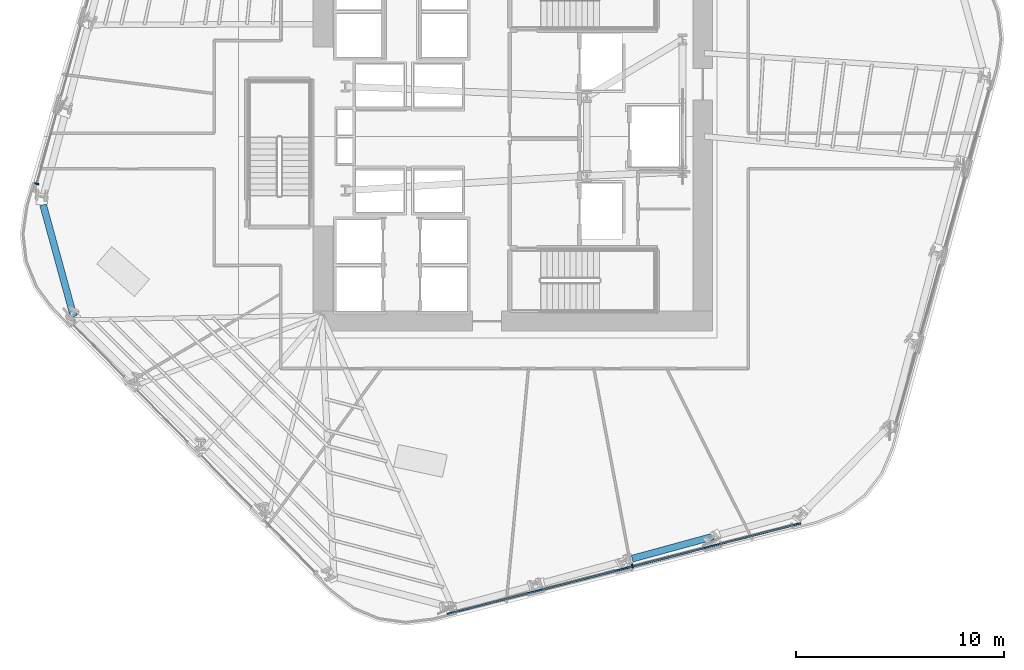
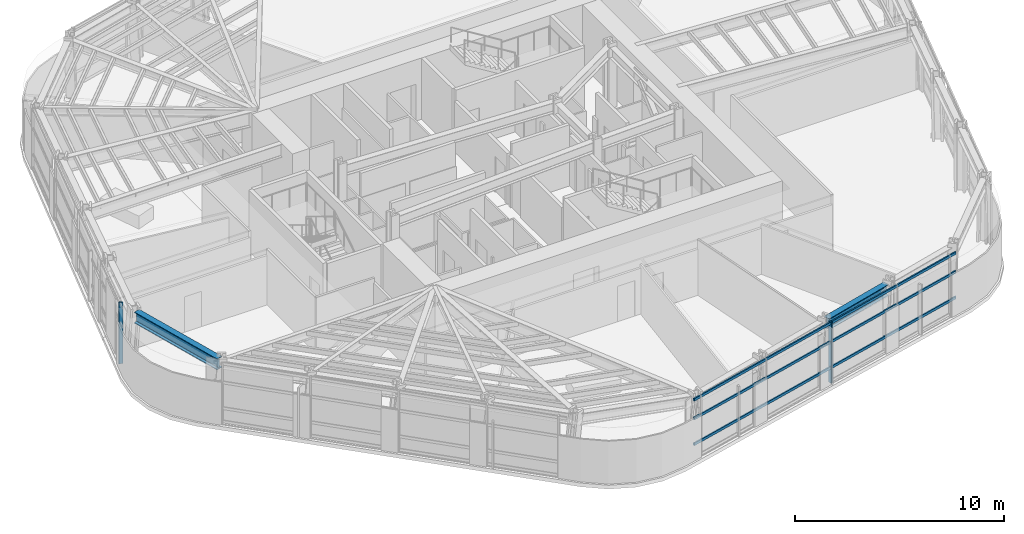
# One storey, part 3 of 17: 5 members, 2 beams, 2 elements without a shape of their own.
"""IFC4 building model written with IfcOpenShell, lengths in metres."""

from ifc_helpers import new_model, si_unit, direction, frame, origin, origin_2d, place, context, subcontext, project, spatial, rectangle, i_section, extrude, material, layer, layer_set, material_profile, profile_set, type_object, element, aggregate, save


model = new_model("IFC4")

# Units and contexts
model_context = context("Model", 3, precision=1e-05, world=origin(), true_north=direction((0.0, 1.0)))
body_context = subcontext(model_context, "Body", "Model", "MODEL_VIEW")
ifc_project = project(units=[si_unit("LENGTHUNIT", "METRE"), si_unit("AREAUNIT", "SQUARE_METRE"), si_unit("VOLUMEUNIT", "CUBIC_METRE"), si_unit("PLANEANGLEUNIT", "RADIAN"), si_unit("MASSUNIT", "GRAM", prefix="KILO")], contexts=[model_context])

# Site, building, storey
site_placement = place(None, origin())
site = spatial("IfcSite", under=ifc_project, at=site_placement, CompositionType="ELEMENT")
building_placement = place(site_placement, origin())
building = spatial("IfcBuilding", under=site, at=building_placement, Name="Valkerne Bourse Tower", CompositionType="ELEMENT")
storey_placement = place(building_placement, frame((0.0, 0.0, 85.800048828125)))
storey = spatial("IfcBuildingStorey", under=building, at=storey_placement, Name="L21", CompositionType="ELEMENT", Elevation=85.800048828125)

# Beams
ifc_material_1 = material(Name="Steel ASTM A992", Category="steel")
ifc_material_profile_1 = material_profile(ifc_material_1, i_section(OverallWidth=0.330078125, OverallDepth=0.647705078125, WebThickness=0.0205078125, FlangeThickness=0.037109375, FilletRadius=0.020263671875, at=origin_2d()), Name="W24X192")
ifc_profile_set_1 = profile_set([ifc_material_profile_1], Name="Steel ASTM A992")
beam_type = type_object("IfcBeamType", Name="BM-W24X192", PredefinedType="SPANDREL", material=ifc_profile_set_1)
beam_1_placement = place(storey_placement, frame((24.222900390625, 23.7080078125, 3.256103515625), z_axis=(0.263867259854, -0.964559002434, 0.0), x_axis=(0.964559002434, 0.263867259854, 0.0)))
element("IfcBeam", 1, at=beam_1_placement, inside=storey, type_object=beam_type, Name="L21 Hexagonal Spandrel Ring Beam 14", PredefinedType="SPANDREL", context=body_context, shape_type="SweptSolid", body=[
    extrude(i_section(OverallWidth=0.330078125, OverallDepth=0.647705078125, WebThickness=0.0205078125, FlangeThickness=0.037109375, FilletRadius=0.020263671875, at=origin_2d()), origin(), (0.0, 0.0, 1.0), 5.564453125),
])
beam_2_placement = place(storey_placement, frame((52.528564453125, 6.70458984375, 3.256103515625), z_axis=(0.964564254368, 0.263848060815, 0.0), x_axis=(-0.263848060815, 0.964564254368, 0.0)))
element("IfcBeam", 2, at=beam_2_placement, inside=storey, type_object=beam_type, Name="L21 Hexagonal Spandrel Ring Beam 22", PredefinedType="SPANDREL", context=body_context, shape_type="SweptSolid", body=[
    extrude(i_section(OverallWidth=0.330078125, OverallDepth=0.647705078125, WebThickness=0.0205078125, FlangeThickness=0.037109375, FilletRadius=0.020263671875, at=origin_2d()), origin(), (0.0, 0.0, 1.0), 4.042724609375),
])

# Curtain wall, member
ifc_material_2 = material(Name="Aluminium AA 6063-T6", Category="aluminium")
ifc_layer = layer(ifc_material_2, 0.22998046875)
ifc_layer_set = layer_set([ifc_layer], Name="Aluminium AA 6063-T6")
curtain_wall_type = type_object("IfcCurtainWallType", Name="CW-02", PredefinedType="NOTDEFINED", material=ifc_layer_set)
curtain_wall_1_placement = place(storey_placement, origin())
curtain_wall_1 = element("IfcCurtainWall", 3, at=curtain_wall_1_placement, inside=storey, type_object=curtain_wall_type, Name="L21 Hexagonal Stick Curtain Wall Face 3", PredefinedType="NOTDEFINED")
ifc_material_profile_2 = material_profile(ifc_material_2, rectangle(XDim=0.074951171875, YDim=0.199951171875, at=origin_2d()), Name="CWM-75X200")
ifc_profile_set_2 = profile_set([ifc_material_profile_2], Name="Aluminium AA 6063-T6")
member_type_1 = type_object("IfcMemberType", Name="CW-MUL-220X75", PredefinedType="MULLION", material=ifc_profile_set_2)
member_1_placement = place(storey_placement, frame((23.917236328125, 24.723876953125, 0.0), z_axis=(0.0, 0.0, 1.0), x_axis=(-0.268921535255, -0.96316208806, 0.0)))
member_1 = element("IfcMember", 4, at=member_1_placement, type_object=member_type_1, Name="CW-L21-F3 Jamb Mullion 03B", PredefinedType="MULLION", context=body_context, shape_type="SweptSolid", body=[
    extrude(rectangle(XDim=0.074951171875, YDim=0.199951171875, at=origin_2d()), origin(), (0.0, 0.0, 1.0), 3.579833984375),
])
aggregate(curtain_wall_1, [member_1])

# Curtain wall, members
curtain_wall_2_placement = place(storey_placement, origin())
curtain_wall_2 = element("IfcCurtainWall", 5, at=curtain_wall_2_placement, inside=storey, type_object=curtain_wall_type, Name="L21 Hexagonal Stick Curtain Wall Face 5", PredefinedType="NOTDEFINED")
member_2_placement = place(storey_placement, frame((52.53564453125, 6.349853515625, 0.0), z_axis=(0.0, 0.0, 1.0), x_axis=(0.96858358851, 0.248688222617, 0.0)))
member_2 = element("IfcMember", 6, at=member_2_placement, type_object=member_type_1, Name="CW-L21-F5 Jamb Mullion 02A", PredefinedType="MULLION", context=body_context, shape_type="SweptSolid", body=[
    extrude(rectangle(XDim=0.074951171875, YDim=0.199951171875, at=origin_2d()), origin(), (0.0, 0.0, 1.0), 3.579833984375),
])
ifc_material_profile_3 = material_profile(ifc_material_2, rectangle(XDim=0.074951171875, YDim=0.14990234375, at=origin_2d()), Name="CWT-75X150")
ifc_profile_set_3 = profile_set([ifc_material_profile_3], Name="Aluminium AA 6063-T6")
member_type_2 = type_object("IfcMemberType", Name="CW-TRN-180X65", PredefinedType="USERDEFINED", material=ifc_profile_set_3)
member_3_placement = place(storey_placement, frame((43.643310546875, 4.046142578125, 0.89990234375), z_axis=(0.968585471025, 0.248680890541, 0.0), x_axis=(-0.248680890541, 0.968585471025, 0.0)))
member_3 = element("IfcMember", 7, at=member_3_placement, type_object=member_type_2, Name="CW-L21-F5 Continuous Face Transom 2", ObjectType="TRANSOM", PredefinedType="USERDEFINED", context=body_context, shape_type="SweptSolid", body=[
    extrude(rectangle(XDim=0.074951171875, YDim=0.14990234375, at=origin_2d()), origin(), (0.0, 0.0, 1.0), 17.531982421875),
])
member_4_placement = place(storey_placement, frame((43.643310546875, 4.046142578125, 2.39990234375), z_axis=(0.968585471025, 0.248680890541, 0.0), x_axis=(-0.248680890541, 0.968585471025, 0.0)))
member_4 = element("IfcMember", 8, at=member_4_placement, type_object=member_type_2, Name="CW-L21-F5 Continuous Face Transom 3", ObjectType="TRANSOM", PredefinedType="USERDEFINED", context=body_context, shape_type="SweptSolid", body=[
    extrude(rectangle(XDim=0.074951171875, YDim=0.14990234375, at=origin_2d()), origin(), (0.0, 0.0, 1.0), 17.531982421875),
])
member_5_placement = place(storey_placement, frame((43.643310546875, 4.046142578125, 3.5), z_axis=(0.968585471025, 0.248680890541, 0.0), x_axis=(-0.248680890541, 0.968585471025, 0.0)))
member_5 = element("IfcMember", 9, at=member_5_placement, type_object=member_type_2, Name="CW-L21-F5 Continuous Face Transom 4", ObjectType="TRANSOM", PredefinedType="USERDEFINED", context=body_context, shape_type="SweptSolid", body=[
    extrude(rectangle(XDim=0.074951171875, YDim=0.14990234375, at=origin_2d()), origin(), (0.0, 0.0, 1.0), 17.531982421875),
])
aggregate(curtain_wall_2, [member_3, member_4, member_5, member_2])

save(model, "model.ifc")
